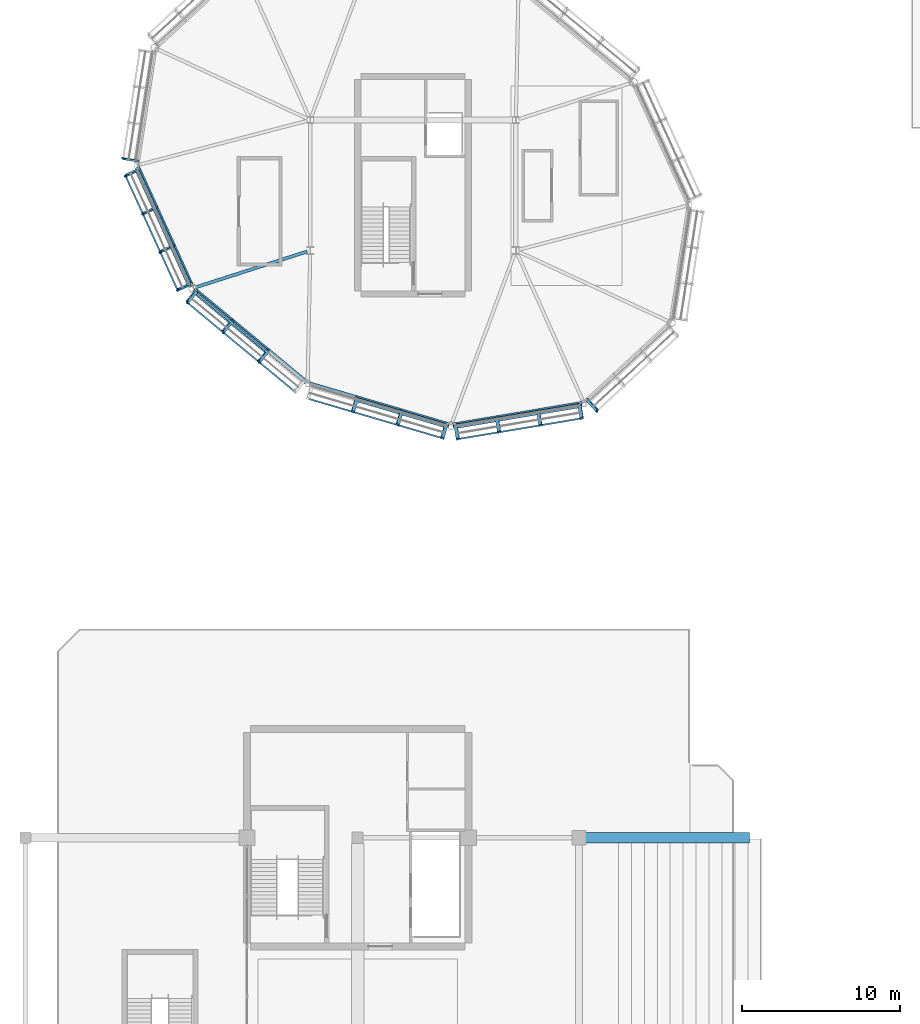
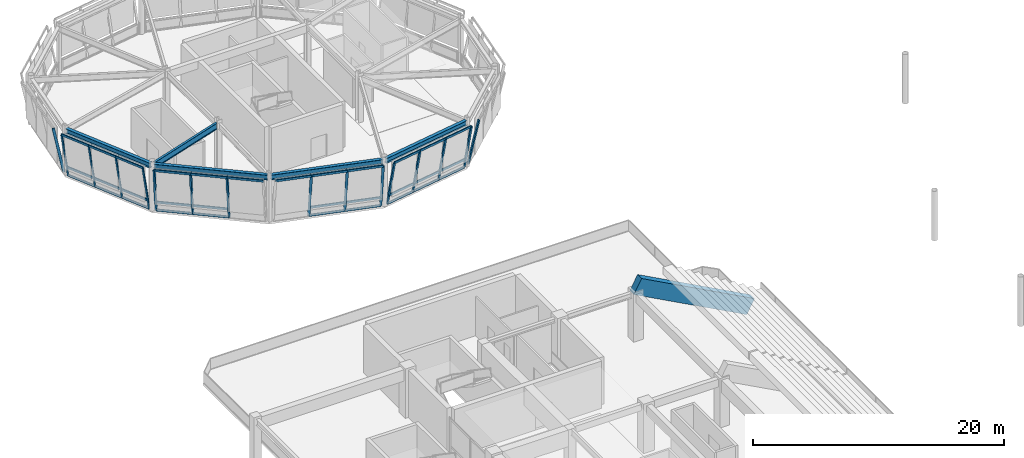
# One storey, part 44 of 94: 48 members, 6 beams, 6 elements without a shape of their own.
"""IFC4 building model written with IfcOpenShell, lengths in metres."""

from ifc_helpers import new_model, si_unit, direction, frame, origin, origin_2d, place, context, subcontext, project, spatial, rectangle, hollow_rectangle, i_section, extrude, material, material_profile, profile_set, type_object, element, aggregate, save


model = new_model("IFC4")

# Units and contexts
model_context = context("Model", 3, precision=1e-05, world=origin(), true_north=direction((0.0, 1.0)))
body_context = subcontext(model_context, "Body", "Model", "MODEL_VIEW")
ifc_project = project(units=[si_unit("LENGTHUNIT", "METRE"), si_unit("AREAUNIT", "SQUARE_METRE"), si_unit("VOLUMEUNIT", "CUBIC_METRE"), si_unit("PLANEANGLEUNIT", "RADIAN"), si_unit("MASSUNIT", "GRAM", prefix="KILO")], contexts=[model_context])

# Site, building, storey
site_placement = place(None, origin())
site = spatial("IfcSite", under=ifc_project, at=site_placement, CompositionType="ELEMENT")
building_placement = place(site_placement, origin())
building = spatial("IfcBuilding", under=site, at=building_placement, Name="Linyun Crest Stadium", CompositionType="ELEMENT")
storey_placement = place(building_placement, frame((0.0, 0.0, 16.199951171875)))
storey = spatial("IfcBuildingStorey", under=building, at=storey_placement, Name="L04", CompositionType="ELEMENT", Elevation=16.199951171875)

# Beams
ifc_material_1 = material(Name="Steel Q355C", Category="steel")
ifc_material_profile_1 = material_profile(ifc_material_1, i_section(OverallWidth=0.300048828125, OverallDepth=0.488037109375, WebThickness=0.010986328125, FlangeThickness=0.01806640625, at=origin_2d()), Name="HM 488x300")
ifc_profile_set_1 = profile_set([ifc_material_profile_1], Name="Steel Q355C")
beam_type_1 = type_object("IfcBeamType", Name="B08", PredefinedType="BEAM", material=ifc_profile_set_1)
beam_1_placement = place(storey_placement, frame((-90.928955078125, 85.76904296875, 4.276123046875), z_axis=(0.41441702614, -0.910087099373, 0.0), x_axis=(0.910087099373, 0.41441702614, 0.0)))
element("IfcBeam", 1, at=beam_1_placement, inside=storey, type_object=beam_type_1, Name="Pod ring girder B08 L04 39", PredefinedType="BEAM", context=body_context, shape_type="SweptSolid", body=[
    extrude(i_section(OverallWidth=0.300048828125, OverallDepth=0.488037109375, WebThickness=0.010986328125, FlangeThickness=0.01806640625, at=origin_2d()), origin(), (0.0, 0.0, 1.0), 8.2958984375),
])
beam_2_placement = place(storey_placement, frame((-87.34912109375, 78.032958984375, 4.276123046875), z_axis=(0.770371409823, -0.637595397512, 0.0), x_axis=(0.637595397512, 0.770371409823, 0.0)))
element("IfcBeam", 2, at=beam_2_placement, inside=storey, type_object=beam_type_1, Name="Pod ring girder B08 L04 41", PredefinedType="BEAM", context=body_context, shape_type="SweptSolid", body=[
    extrude(i_section(OverallWidth=0.300048828125, OverallDepth=0.488037109375, WebThickness=0.010986328125, FlangeThickness=0.01806640625, at=origin_2d()), origin(), (0.0, 0.0, 1.0), 9.204833984375),
])
beam_3_placement = place(storey_placement, frame((-80.051025390625, 72.052978515625, 4.276123046875), z_axis=(0.959427571735, -0.281955199623, 0.0), x_axis=(0.281955199623, 0.959427571735, 0.0)))
element("IfcBeam", 3, at=beam_3_placement, inside=storey, type_object=beam_type_1, Name="Pod ring girder B08 L04 43", PredefinedType="BEAM", context=body_context, shape_type="SweptSolid", body=[
    extrude(i_section(OverallWidth=0.300048828125, OverallDepth=0.488037109375, WebThickness=0.010986328125, FlangeThickness=0.01806640625, at=origin_2d()), origin(), (0.0, 0.0, 1.0), 9.203369140625),
])
beam_4_placement = place(storey_placement, frame((-70.988037109375, 69.444091796875, 4.276123046875), z_axis=(0.986275969976, 0.165105151487, 0.0), x_axis=(-0.165105151487, 0.986275969976, 0.0)))
element("IfcBeam", 4, at=beam_4_placement, inside=storey, type_object=beam_type_1, Name="Pod ring girder B08 L04 45", PredefinedType="BEAM", context=body_context, shape_type="SweptSolid", body=[
    extrude(i_section(OverallWidth=0.300048828125, OverallDepth=0.488037109375, WebThickness=0.010986328125, FlangeThickness=0.01806640625, at=origin_2d()), origin(), (0.0, 0.0, 1.0), 8.296875),
])
ifc_material_2 = material(Name="Steel Q355C", Category="steel")
ifc_material_profile_2 = material_profile(ifc_material_2, i_section(OverallWidth=0.199951171875, OverallDepth=0.60009765625, WebThickness=0.010986328125, FlangeThickness=0.01708984375, at=origin_2d()), Name="HN 600x200")
ifc_profile_set_2 = profile_set([ifc_material_profile_2], Name="Steel Q355C")
beam_type_2 = type_object("IfcBeamType", Name="B11", PredefinedType="BEAM", material=ifc_profile_set_2)
beam_5_placement = place(storey_placement, frame((-80.18994140625, 80.43896484375, 4.219970703125), z_axis=(-0.952088987816, -0.305821123011, 0.0), x_axis=(0.305821123011, -0.952088987816, 0.0)))
element("IfcBeam", 5, at=beam_5_placement, inside=storey, type_object=beam_type_2, Name="Pod radial tie girder B11 L04 42", PredefinedType="BEAM", context=body_context, shape_type="SweptSolid", body=[
    extrude(i_section(OverallWidth=0.199951171875, OverallDepth=0.60009765625, WebThickness=0.010986328125, FlangeThickness=0.01708984375, at=origin_2d()), origin(), (0.0, 0.0, 1.0), 7.396240234375),
])

# Curtain wall, member
ifc_material_3 = material(Name="Verdigris steel and low-E curtain wall assembly", Category="steel")
curtain_wall_type = type_object("IfcCurtainWallType", Name="MCW04", PredefinedType="NOTDEFINED", material=ifc_material_3)
curtain_wall_1_placement = place(storey_placement, origin())
curtain_wall_1 = element("IfcCurtainWall", 6, at=curtain_wall_1_placement, inside=storey, type_object=curtain_wall_type, Name="CWR-007", PredefinedType="NOTDEFINED")
ifc_material_4 = material(Name="Verdigris painted steel Q355C pod mullion", Category="steel")
ifc_material_profile_3 = material_profile(ifc_material_4, hollow_rectangle(XDim=0.1201171875, YDim=0.219970703125, WallThickness=0.008056640625, at=origin_2d()), Name="RHS 220x120x8")
ifc_profile_set_3 = profile_set([ifc_material_profile_3], Name="Verdigris painted steel Q355C pod mullion")
member_type_1 = type_object("IfcMemberType", Name="ML04", PredefinedType="MULLION", material=ifc_profile_set_3)
member_1_placement = place(storey_placement, frame((-90.93310546875, 86.175048828125, 0.0), z_axis=(-0.197078126457, 0.030307333002, 0.979919219956), x_axis=(-0.297564133026, -0.954219848117, -0.030332625933)))
member_1 = element("IfcMember", 7, at=member_1_placement, type_object=member_type_1, Name="CWR-007 mullion 4", PredefinedType="MULLION", context=body_context, shape_type="SweptSolid", body=[
    extrude(hollow_rectangle(XDim=0.1201171875, YDim=0.219970703125, WallThickness=0.008056640625, at=origin_2d()), origin(), (0.0, 0.0, 1.0), 4.55126953125),
])
aggregate(curtain_wall_1, [member_1])

# Curtain wall, members
curtain_wall_2_placement = place(storey_placement, origin())
curtain_wall_2 = element("IfcCurtainWall", 8, at=curtain_wall_2_placement, inside=storey, type_object=curtain_wall_type, Name="CWR-008", PredefinedType="NOTDEFINED")
member_2_placement = place(storey_placement, frame((-90.85498046875, 85.60498046875, 0.0), z_axis=(-0.181468825356, -0.082607741959, 0.979920928643), x_axis=(0.746742899656, -0.659957267933, 0.082652563878)))
member_2 = element("IfcMember", 9, at=member_2_placement, type_object=member_type_1, Name="CWR-008 mullion 1", PredefinedType="MULLION", context=body_context, shape_type="SweptSolid", body=[
    extrude(hollow_rectangle(XDim=0.1201171875, YDim=0.219970703125, WallThickness=0.008056640625, at=origin_2d()), origin(), (0.0, 0.0, 1.0), 4.55126953125),
])
member_3_placement = place(storey_placement, frame((-89.758056640625, 83.197998046875, 0.0), z_axis=(-0.18146560477, -0.082820837648, 0.979903537669), x_axis=(0.747382072803, -0.659228893566, 0.082687986678)))
member_3 = element("IfcMember", 10, at=member_3_placement, type_object=member_type_1, Name="CWR-008 mullion 2", PredefinedType="MULLION", context=body_context, shape_type="SweptSolid", body=[
    extrude(hollow_rectangle(XDim=0.1201171875, YDim=0.219970703125, WallThickness=0.008056640625, at=origin_2d()), origin(), (0.0, 0.0, 1.0), 4.551513671875),
])
member_4_placement = place(storey_placement, frame((-88.662109375, 80.7900390625, 0.0), z_axis=(-0.181261313522, -0.08261095674, 0.979959063455), x_axis=(0.747051740721, -0.659617384202, 0.082574833601)))
member_4 = element("IfcMember", 11, at=member_4_placement, type_object=member_type_1, Name="CWR-008 mullion 3", PredefinedType="MULLION", context=body_context, shape_type="SweptSolid", body=[
    extrude(hollow_rectangle(XDim=0.1201171875, YDim=0.219970703125, WallThickness=0.008056640625, at=origin_2d()), origin(), (0.0, 0.0, 1.0), 4.55126953125),
])
member_5_placement = place(storey_placement, frame((-87.56494140625, 78.383056640625, 0.0), z_axis=(-0.181520699528, -0.082606937728, 0.979911388587), x_axis=(0.74666575297, -0.660042115453, 0.082671997496)))
member_5 = element("IfcMember", 12, at=member_5_placement, type_object=member_type_1, Name="CWR-008 mullion 4", PredefinedType="MULLION", context=body_context, shape_type="SweptSolid", body=[
    extrude(hollow_rectangle(XDim=0.1201171875, YDim=0.219970703125, WallThickness=0.008056640625, at=origin_2d()), origin(), (0.0, 0.0, 1.0), 4.551513671875),
])

curtain_wall_3_placement = place(storey_placement, origin())
curtain_wall_3 = element("IfcCurtainWall", 13, at=curtain_wall_3_placement, inside=storey, type_object=curtain_wall_type, Name="CWR-009", PredefinedType="NOTDEFINED")
member_6_placement = place(storey_placement, frame((-87.2099609375, 77.9189453125, 0.0), z_axis=(-0.127236122693, -0.153573785527, 0.979911251839), x_axis=(0.972616489706, 0.174405811147, 0.153622189123)))
member_6 = element("IfcMember", 14, at=member_6_placement, type_object=member_type_1, Name="CWR-009 mullion 1", PredefinedType="MULLION", context=body_context, shape_type="SweptSolid", body=[
    extrude(hollow_rectangle(XDim=0.1201171875, YDim=0.219970703125, WallThickness=0.008056640625, at=origin_2d()), origin(), (0.0, 0.0, 1.0), 4.551513671875),
])
member_7_placement = place(storey_placement, frame((-84.93896484375, 76.0390625, 0.0), z_axis=(-0.127236122693, -0.153573785527, 0.979911251839), x_axis=(0.972616489706, 0.174405811147, 0.153622189123)))
member_7 = element("IfcMember", 15, at=member_7_placement, type_object=member_type_1, Name="CWR-009 mullion 2", PredefinedType="MULLION", context=body_context, shape_type="SweptSolid", body=[
    extrude(hollow_rectangle(XDim=0.1201171875, YDim=0.219970703125, WallThickness=0.008056640625, at=origin_2d()), origin(), (0.0, 0.0, 1.0), 4.551513671875),
])
member_8_placement = place(storey_placement, frame((-82.66796875, 74.157958984375, 0.0), z_axis=(-0.127236122693, -0.153573785527, 0.979911251839), x_axis=(0.972616489706, 0.174405811147, 0.153622189123)))
member_8 = element("IfcMember", 16, at=member_8_placement, type_object=member_type_1, Name="CWR-009 mullion 3", PredefinedType="MULLION", context=body_context, shape_type="SweptSolid", body=[
    extrude(hollow_rectangle(XDim=0.1201171875, YDim=0.219970703125, WallThickness=0.008056640625, at=origin_2d()), origin(), (0.0, 0.0, 1.0), 4.551513671875),
])

curtain_wall_4_placement = place(storey_placement, origin())
curtain_wall_4 = element("IfcCurtainWall", 17, at=curtain_wall_4_placement, inside=storey, type_object=curtain_wall_type, Name="CWR-010", PredefinedType="NOTDEFINED")
member_9_placement = place(storey_placement, frame((-77.050048828125, 71.1708984375, 0.0), z_axis=(-0.056215732497, -0.19133732616, 0.979913169132), x_axis=(0.535586287554, 0.822520503693, 0.191330472193)))
member_9 = element("IfcMember", 18, at=member_9_placement, type_object=member_type_1, Name="CWR-010 mullion 2", PredefinedType="MULLION", context=body_context, shape_type="SweptSolid", body=[
    extrude(hollow_rectangle(XDim=0.1201171875, YDim=0.219970703125, WallThickness=0.008056640625, at=origin_2d()), origin(), (0.0, 0.0, 1.0), 4.55126953125),
])
member_10_placement = place(storey_placement, frame((-74.221923828125, 70.340087890625, 0.0), z_axis=(-0.056268626116, -0.191388425148, 0.979900154319), x_axis=(0.535732609675, 0.822410933305, 0.191391817253)))
member_10 = element("IfcMember", 19, at=member_10_placement, type_object=member_type_1, Name="CWR-010 mullion 3", PredefinedType="MULLION", context=body_context, shape_type="SweptSolid", body=[
    extrude(hollow_rectangle(XDim=0.1201171875, YDim=0.219970703125, WallThickness=0.008056640625, at=origin_2d()), origin(), (0.0, 0.0, 1.0), 4.551513671875),
])
member_11_placement = place(storey_placement, frame((-71.39404296875, 69.509033203125, 0.0), z_axis=(-0.056215155453, -0.191389002536, 0.979903110519), x_axis=(0.535521217083, 0.822551841019, 0.191377885059)))
member_11 = element("IfcMember", 20, at=member_11_placement, type_object=member_type_1, Name="CWR-010 mullion 4", PredefinedType="MULLION", context=body_context, shape_type="SweptSolid", body=[
    extrude(hollow_rectangle(XDim=0.1201171875, YDim=0.219970703125, WallThickness=0.008056640625, at=origin_2d()), origin(), (0.0, 0.0, 1.0), 4.551513671875),
])

curtain_wall_5_placement = place(storey_placement, origin())
curtain_wall_5 = element("IfcCurtainWall", 21, at=curtain_wall_5_placement, inside=storey, type_object=curtain_wall_type, Name="CWR-011", PredefinedType="NOTDEFINED")
member_12_placement = place(storey_placement, frame((-70.81005859375, 69.47412109375, 0.0), z_axis=(0.03298938458, -0.196648916861, 0.979918825211), x_axis=(-0.322673171426, 0.925854197234, 0.196662222875)))
member_12 = element("IfcMember", 22, at=member_12_placement, type_object=member_type_1, Name="CWR-011 mullion 1", PredefinedType="MULLION", context=body_context, shape_type="SweptSolid", body=[
    extrude(hollow_rectangle(XDim=0.1201171875, YDim=0.219970703125, WallThickness=0.008056640625, at=origin_2d()), origin(), (0.0, 0.0, 1.0), 4.55126953125),
])
member_13_placement = place(storey_placement, frame((-68.200927734375, 69.910888671875, 0.0), z_axis=(0.032936148922, -0.196597696743, 0.979930893344), x_axis=(-0.32247063597, 0.925937182787, 0.196603719367)))
member_13 = element("IfcMember", 23, at=member_13_placement, type_object=member_type_1, Name="CWR-011 mullion 2", PredefinedType="MULLION", context=body_context, shape_type="SweptSolid", body=[
    extrude(hollow_rectangle(XDim=0.1201171875, YDim=0.219970703125, WallThickness=0.008056640625, at=origin_2d()), origin(), (0.0, 0.0, 1.0), 4.55126953125),
])
member_14_placement = place(storey_placement, frame((-65.592041015625, 70.346923828125, 0.0), z_axis=(0.03298938458, -0.196648916861, 0.979918825211), x_axis=(-0.322673171426, 0.925854197234, 0.196662222875)))
member_14 = element("IfcMember", 24, at=member_14_placement, type_object=member_type_1, Name="CWR-011 mullion 3", PredefinedType="MULLION", context=body_context, shape_type="SweptSolid", body=[
    extrude(hollow_rectangle(XDim=0.1201171875, YDim=0.219970703125, WallThickness=0.008056640625, at=origin_2d()), origin(), (0.0, 0.0, 1.0), 4.55126953125),
])
member_15_placement = place(storey_placement, frame((-62.98291015625, 70.783935546875, 0.0), z_axis=(0.03293580154, -0.196649264568, 0.979920557863), x_axis=(-0.322427792745, 0.925941462392, 0.196653824495)))
member_15 = element("IfcMember", 25, at=member_15_placement, type_object=member_type_1, Name="CWR-011 mullion 4", PredefinedType="MULLION", context=body_context, shape_type="SweptSolid", body=[
    extrude(hollow_rectangle(XDim=0.1201171875, YDim=0.219970703125, WallThickness=0.008056640625, at=origin_2d()), origin(), (0.0, 0.0, 1.0), 4.55126953125),
])

# Curtain wall, member
curtain_wall_6_placement = place(storey_placement, origin())
curtain_wall_6 = element("IfcCurtainWall", 26, at=curtain_wall_6_placement, inside=storey, type_object=curtain_wall_type, Name="CWR-012", PredefinedType="NOTDEFINED")
member_16_placement = place(storey_placement, frame((-62.467041015625, 71.0380859375, 0.0), z_axis=(0.135338938, -0.146335561976, 0.979933301384), x_axis=(-0.986931761781, 0.067392260663, 0.146369330089)))
member_16 = element("IfcMember", 27, at=member_16_placement, type_object=member_type_1, Name="CWR-012 mullion 1", PredefinedType="MULLION", context=body_context, shape_type="SweptSolid", body=[
    extrude(hollow_rectangle(XDim=0.1201171875, YDim=0.219970703125, WallThickness=0.008056640625, at=origin_2d()), origin(), (0.0, 0.0, 1.0), 4.55126953125),
])
aggregate(curtain_wall_6, [member_16])

# Beam
ifc_material_5 = material(Name="Precast concrete C50", Category="concrete")
ifc_material_profile_4 = material_profile(ifc_material_5, rectangle(XDim=0.64990234375, YDim=1.5, at=origin_2d()), Name="PCR 1500x650")
ifc_profile_set_4 = profile_set([ifc_material_profile_4], Name="Precast concrete C50")
beam_type_3 = type_object("IfcBeamType", Name="RB04", PredefinedType="USERDEFINED", material=ifc_profile_set_4)
beam_6_placement = place(storey_placement, frame((-52.60009765625, 43.375, -0.39990234375), z_axis=(-0.88047441838, 0.0, 0.474093660134), x_axis=(0.0, -1.0, 0.0)))
element("IfcBeam", 28, at=beam_6_placement, inside=storey, type_object=beam_type_3, Name="Precast raker beam RB04 V1 59", ObjectType="RAKER", PredefinedType="USERDEFINED", context=body_context, shape_type="SweptSolid", body=[
    extrude(rectangle(XDim=0.64990234375, YDim=1.5, at=origin_2d()), origin(), (0.0, 0.0, 1.0), 11.811767578125),
])

# Member
ifc_material_6 = material(Name="Verdigris painted steel Q355C transom", Category="steel")
ifc_material_profile_5 = material_profile(ifc_material_6, hollow_rectangle(XDim=0.10009765625, YDim=0.199951171875, WallThickness=0.008056640625, at=origin_2d()), Name="RHS 200x100x8")
ifc_profile_set_5 = profile_set([ifc_material_profile_5], Name="Verdigris painted steel Q355C transom")
member_type_2 = type_object("IfcMemberType", Name="TR03", PredefinedType="USERDEFINED", material=ifc_profile_set_5)
member_17_placement = place(storey_placement, frame((-90.85498046875, 85.60498046875, 0.0), z_axis=(0.414692848815, -0.90996145036, 0.0), x_axis=(0.90996145036, 0.414692848815, 0.0)))
member_17 = element("IfcMember", 29, at=member_17_placement, type_object=member_type_2, Name="CWR-008 transom 1.1", ObjectType="TRANSOM", PredefinedType="USERDEFINED", context=body_context, shape_type="SweptSolid", body=[
    extrude(hollow_rectangle(XDim=0.10009765625, YDim=0.199951171875, WallThickness=0.008056640625, at=origin_2d()), origin(), (0.0, 0.0, 1.0), 2.645263671875),
])

member_18_placement = place(storey_placement, frame((-91.02197265625, 85.529052734375, 0.900146484375), z_axis=(0.414692848815, -0.90996145036, 0.0), x_axis=(0.90996145036, 0.414692848815, 0.0)))
member_18 = element("IfcMember", 30, at=member_18_placement, type_object=member_type_2, Name="CWR-008 transom 1.2", ObjectType="TRANSOM", PredefinedType="USERDEFINED", context=body_context, shape_type="SweptSolid", body=[
    extrude(hollow_rectangle(XDim=0.10009765625, YDim=0.199951171875, WallThickness=0.008056640625, at=origin_2d()), origin(), (0.0, 0.0, 1.0), 2.645263671875),
])

member_19_placement = place(storey_placement, frame((-91.680908203125, 85.22900390625, 4.4599609375), z_axis=(0.414553575176, -0.910024908071, 0.0), x_axis=(0.910024908071, 0.414553575176, 0.0)))
member_19 = element("IfcMember", 31, at=member_19_placement, type_object=member_type_2, Name="CWR-008 transom 1.3", ObjectType="TRANSOM", PredefinedType="USERDEFINED", context=body_context, shape_type="SweptSolid", body=[
    extrude(hollow_rectangle(XDim=0.10009765625, YDim=0.199951171875, WallThickness=0.008056640625, at=origin_2d()), origin(), (0.0, 0.0, 1.0), 2.64599609375),
])

member_20_placement = place(storey_placement, frame((-89.758056640625, 83.197998046875, 0.0), z_axis=(0.414247864609, -0.910164109744, 0.0), x_axis=(0.910164109744, 0.414247864609, 0.0)))
member_20 = element("IfcMember", 32, at=member_20_placement, type_object=member_type_2, Name="CWR-008 transom 2.1", ObjectType="TRANSOM", PredefinedType="USERDEFINED", context=body_context, shape_type="SweptSolid", body=[
    extrude(hollow_rectangle(XDim=0.10009765625, YDim=0.199951171875, WallThickness=0.008056640625, at=origin_2d()), origin(), (0.0, 0.0, 1.0), 2.645751953125),
])

member_21_placement = place(storey_placement, frame((-89.925048828125, 83.1220703125, 0.900146484375), z_axis=(0.414629980899, -0.909990098265, 0.0), x_axis=(0.909990098265, 0.414629980899, 0.0)))
member_21 = element("IfcMember", 33, at=member_21_placement, type_object=member_type_2, Name="CWR-008 transom 2.2", ObjectType="TRANSOM", PredefinedType="USERDEFINED", context=body_context, shape_type="SweptSolid", body=[
    extrude(hollow_rectangle(XDim=0.10009765625, YDim=0.199951171875, WallThickness=0.008056640625, at=origin_2d()), origin(), (0.0, 0.0, 1.0), 2.646240234375),
])

member_22_placement = place(storey_placement, frame((-90.583984375, 82.821044921875, 4.4599609375), z_axis=(0.414692848815, -0.90996145036, 0.0), x_axis=(0.90996145036, 0.414692848815, 0.0)))
member_22 = element("IfcMember", 34, at=member_22_placement, type_object=member_type_2, Name="CWR-008 transom 2.3", ObjectType="TRANSOM", PredefinedType="USERDEFINED", context=body_context, shape_type="SweptSolid", body=[
    extrude(hollow_rectangle(XDim=0.10009765625, YDim=0.199951171875, WallThickness=0.008056640625, at=origin_2d()), origin(), (0.0, 0.0, 1.0), 2.645263671875),
])

member_23_placement = place(storey_placement, frame((-88.662109375, 80.7900390625, 0.0), z_axis=(0.414769269545, -0.909926619591, 0.0), x_axis=(0.909926619591, 0.414769269545, 0.0)))
member_23 = element("IfcMember", 35, at=member_23_placement, type_object=member_type_2, Name="CWR-008 transom 3.1", ObjectType="TRANSOM", PredefinedType="USERDEFINED", context=body_context, shape_type="SweptSolid", body=[
    extrude(hollow_rectangle(XDim=0.10009765625, YDim=0.199951171875, WallThickness=0.008056640625, at=origin_2d()), origin(), (0.0, 0.0, 1.0), 2.645263671875),
])

member_24_placement = place(storey_placement, frame((-88.827880859375, 80.714111328125, 0.900146484375), z_axis=(0.414352266897, -0.910116585343, 0.0), x_axis=(0.910116585343, 0.414352266897, 0.0)))
member_24 = element("IfcMember", 36, at=member_24_placement, type_object=member_type_2, Name="CWR-008 transom 3.2", ObjectType="TRANSOM", PredefinedType="USERDEFINED", context=body_context, shape_type="SweptSolid", body=[
    extrude(hollow_rectangle(XDim=0.10009765625, YDim=0.199951171875, WallThickness=0.008056640625, at=origin_2d()), origin(), (0.0, 0.0, 1.0), 2.64501953125),
])

member_25_placement = place(storey_placement, frame((-89.487060546875, 80.4140625, 4.4599609375), z_axis=(0.414387078143, -0.91010073589, 0.0), x_axis=(0.91010073589, 0.414387078143, 0.0)))
member_25 = element("IfcMember", 37, at=member_25_placement, type_object=member_type_2, Name="CWR-008 transom 3.3", ObjectType="TRANSOM", PredefinedType="USERDEFINED", context=body_context, shape_type="SweptSolid", body=[
    extrude(hollow_rectangle(XDim=0.10009765625, YDim=0.199951171875, WallThickness=0.008056640625, at=origin_2d()), origin(), (0.0, 0.0, 1.0), 2.644775390625),
])

aggregate(curtain_wall_2, [member_2, member_3, member_4, member_5, member_17, member_18, member_19, member_20, member_21, member_22, member_23, member_24, member_25])

member_26_placement = place(storey_placement, frame((-87.2099609375, 77.9189453125, 0.0), z_axis=(0.770321380351, -0.63765584054, 0.0), x_axis=(0.63765584054, 0.770321380351, 0.0)))
member_26 = element("IfcMember", 38, at=member_26_placement, type_object=member_type_2, Name="CWR-009 transom 1.1", ObjectType="TRANSOM", PredefinedType="USERDEFINED", context=body_context, shape_type="SweptSolid", body=[
    extrude(hollow_rectangle(XDim=0.10009765625, YDim=0.199951171875, WallThickness=0.008056640625, at=origin_2d()), origin(), (0.0, 0.0, 1.0), 2.947998046875),
])

member_27_placement = place(storey_placement, frame((-87.326904296875, 77.778076171875, 0.900146484375), z_axis=(0.770280703464, -0.637704977142, 0.0), x_axis=(0.637704977142, 0.770280703464, 0.0)))
member_27 = element("IfcMember", 39, at=member_27_placement, type_object=member_type_2, Name="CWR-009 transom 1.2", ObjectType="TRANSOM", PredefinedType="USERDEFINED", context=body_context, shape_type="SweptSolid", body=[
    extrude(hollow_rectangle(XDim=0.10009765625, YDim=0.199951171875, WallThickness=0.008056640625, at=origin_2d()), origin(), (0.0, 0.0, 1.0), 2.9482421875),
])

member_28_placement = place(storey_placement, frame((-87.7890625, 77.219970703125, 4.4599609375), z_axis=(0.770321380351, -0.63765584054, 0.0), x_axis=(0.63765584054, 0.770321380351, 0.0)))
member_28 = element("IfcMember", 40, at=member_28_placement, type_object=member_type_2, Name="CWR-009 transom 1.3", ObjectType="TRANSOM", PredefinedType="USERDEFINED", context=body_context, shape_type="SweptSolid", body=[
    extrude(hollow_rectangle(XDim=0.10009765625, YDim=0.199951171875, WallThickness=0.008056640625, at=origin_2d()), origin(), (0.0, 0.0, 1.0), 2.947998046875),
])

member_29_placement = place(storey_placement, frame((-84.93896484375, 76.0390625, 0.0), z_axis=(0.770118007544, -0.637901445724, 0.0), x_axis=(0.637901445724, 0.770118007544, 0.0)))
member_29 = element("IfcMember", 41, at=member_29_placement, type_object=member_type_2, Name="CWR-009 transom 2.1", ObjectType="TRANSOM", PredefinedType="USERDEFINED", context=body_context, shape_type="SweptSolid", body=[
    extrude(hollow_rectangle(XDim=0.10009765625, YDim=0.199951171875, WallThickness=0.008056640625, at=origin_2d()), origin(), (0.0, 0.0, 1.0), 2.948974609375),
])

member_30_placement = place(storey_placement, frame((-85.055908203125, 75.89794921875, 0.900146484375), z_axis=(0.770158679778, -0.63785234025, 0.0), x_axis=(0.63785234025, 0.770158679778, 0.0)))
member_30 = element("IfcMember", 42, at=member_30_placement, type_object=member_type_2, Name="CWR-009 transom 2.2", ObjectType="TRANSOM", PredefinedType="USERDEFINED", context=body_context, shape_type="SweptSolid", body=[
    extrude(hollow_rectangle(XDim=0.10009765625, YDim=0.199951171875, WallThickness=0.008056640625, at=origin_2d()), origin(), (0.0, 0.0, 1.0), 2.94873046875),
])

member_31_placement = place(storey_placement, frame((-85.51806640625, 75.340087890625, 4.4599609375), z_axis=(0.770118007544, -0.637901445724, 0.0), x_axis=(0.637901445724, 0.770118007544, 0.0)))
member_31 = element("IfcMember", 43, at=member_31_placement, type_object=member_type_2, Name="CWR-009 transom 2.3", ObjectType="TRANSOM", PredefinedType="USERDEFINED", context=body_context, shape_type="SweptSolid", body=[
    extrude(hollow_rectangle(XDim=0.10009765625, YDim=0.199951171875, WallThickness=0.008056640625, at=origin_2d()), origin(), (0.0, 0.0, 1.0), 2.948974609375),
])

member_32_placement = place(storey_placement, frame((-83.2470703125, 73.458984375, 4.4599609375), z_axis=(0.770321380351, -0.63765584054, 0.0), x_axis=(0.63765584054, 0.770321380351, 0.0)))
member_32 = element("IfcMember", 44, at=member_32_placement, type_object=member_type_2, Name="CWR-009 transom 3.3", ObjectType="TRANSOM", PredefinedType="USERDEFINED", context=body_context, shape_type="SweptSolid", body=[
    extrude(hollow_rectangle(XDim=0.10009765625, YDim=0.199951171875, WallThickness=0.008056640625, at=origin_2d()), origin(), (0.0, 0.0, 1.0), 2.947998046875),
])

aggregate(curtain_wall_3, [member_6, member_7, member_8, member_26, member_27, member_28, member_29, member_30, member_31, member_32])

member_33_placement = place(storey_placement, frame((-80.134033203125, 71.131103515625, 4.4599609375), z_axis=(0.959434053677, -0.281933142154, 0.0), x_axis=(0.281933142154, 0.959434053677, 0.0)))
member_33 = element("IfcMember", 45, at=member_33_placement, type_object=member_type_2, Name="CWR-010 transom 1.3", ObjectType="TRANSOM", PredefinedType="USERDEFINED", context=body_context, shape_type="SweptSolid", body=[
    extrude(hollow_rectangle(XDim=0.10009765625, YDim=0.199951171875, WallThickness=0.008056640625, at=origin_2d()), origin(), (0.0, 0.0, 1.0), 2.94775390625),
])

member_34_placement = place(storey_placement, frame((-77.050048828125, 71.1708984375, 0.0), z_axis=(0.959456454772, -0.281856898791, 0.0), x_axis=(0.281856898791, 0.959456454772, 0.0)))
member_34 = element("IfcMember", 46, at=member_34_placement, type_object=member_type_2, Name="CWR-010 transom 2.1", ObjectType="TRANSOM", PredefinedType="USERDEFINED", context=body_context, shape_type="SweptSolid", body=[
    extrude(hollow_rectangle(XDim=0.10009765625, YDim=0.199951171875, WallThickness=0.008056640625, at=origin_2d()), origin(), (0.0, 0.0, 1.0), 2.94775390625),
])

member_35_placement = place(storey_placement, frame((-77.10205078125, 70.9951171875, 0.900146484375), z_axis=(0.959434053677, -0.281933142154, 0.0), x_axis=(0.281933142154, 0.959434053677, 0.0)))
member_35 = element("IfcMember", 47, at=member_35_placement, type_object=member_type_2, Name="CWR-010 transom 2.2", ObjectType="TRANSOM", PredefinedType="USERDEFINED", context=body_context, shape_type="SweptSolid", body=[
    extrude(hollow_rectangle(XDim=0.10009765625, YDim=0.199951171875, WallThickness=0.008056640625, at=origin_2d()), origin(), (0.0, 0.0, 1.0), 2.94775390625),
])

member_36_placement = place(storey_placement, frame((-77.305908203125, 70.300048828125, 4.4599609375), z_axis=(0.959427469513, -0.28195554746, 0.0), x_axis=(0.28195554746, 0.959427469513, 0.0)))
member_36 = element("IfcMember", 48, at=member_36_placement, type_object=member_type_2, Name="CWR-010 transom 2.3", ObjectType="TRANSOM", PredefinedType="USERDEFINED", context=body_context, shape_type="SweptSolid", body=[
    extrude(hollow_rectangle(XDim=0.10009765625, YDim=0.199951171875, WallThickness=0.008056640625, at=origin_2d()), origin(), (0.0, 0.0, 1.0), 2.947509765625),
])

member_37_placement = place(storey_placement, frame((-74.221923828125, 70.340087890625, 0.0), z_axis=(0.959427469513, -0.28195554746, 0.0), x_axis=(0.28195554746, 0.959427469513, 0.0)))
member_37 = element("IfcMember", 49, at=member_37_placement, type_object=member_type_2, Name="CWR-010 transom 3.1", ObjectType="TRANSOM", PredefinedType="USERDEFINED", context=body_context, shape_type="SweptSolid", body=[
    extrude(hollow_rectangle(XDim=0.10009765625, YDim=0.199951171875, WallThickness=0.008056640625, at=origin_2d()), origin(), (0.0, 0.0, 1.0), 2.947509765625),
])

member_38_placement = place(storey_placement, frame((-74.27392578125, 70.1640625, 0.900146484375), z_axis=(0.959427469513, -0.28195554746, 0.0), x_axis=(0.28195554746, 0.959427469513, 0.0)))
member_38 = element("IfcMember", 50, at=member_38_placement, type_object=member_type_2, Name="CWR-010 transom 3.2", ObjectType="TRANSOM", PredefinedType="USERDEFINED", context=body_context, shape_type="SweptSolid", body=[
    extrude(hollow_rectangle(XDim=0.10009765625, YDim=0.199951171875, WallThickness=0.008056640625, at=origin_2d()), origin(), (0.0, 0.0, 1.0), 2.947509765625),
])

member_39_placement = place(storey_placement, frame((-74.47802734375, 69.468994140625, 4.4599609375), z_axis=(0.959434053677, -0.281933142154, 0.0), x_axis=(0.281933142154, 0.959434053677, 0.0)))
member_39 = element("IfcMember", 51, at=member_39_placement, type_object=member_type_2, Name="CWR-010 transom 3.3", ObjectType="TRANSOM", PredefinedType="USERDEFINED", context=body_context, shape_type="SweptSolid", body=[
    extrude(hollow_rectangle(XDim=0.10009765625, YDim=0.199951171875, WallThickness=0.008056640625, at=origin_2d()), origin(), (0.0, 0.0, 1.0), 2.94775390625),
])

aggregate(curtain_wall_4, [member_9, member_10, member_11, member_33, member_34, member_35, member_36, member_37, member_38, member_39])

member_40_placement = place(storey_placement, frame((-70.81005859375, 69.47412109375, 0.0), z_axis=(0.986276442989, 0.165102325864, 0.0), x_axis=(-0.165102325864, 0.986276442989, 0.0)))
member_40 = element("IfcMember", 52, at=member_40_placement, type_object=member_type_2, Name="CWR-011 transom 1.1", ObjectType="TRANSOM", PredefinedType="USERDEFINED", context=body_context, shape_type="SweptSolid", body=[
    extrude(hollow_rectangle(XDim=0.10009765625, YDim=0.199951171875, WallThickness=0.008056640625, at=origin_2d()), origin(), (0.0, 0.0, 1.0), 2.6455078125),
])

member_41_placement = place(storey_placement, frame((-70.780029296875, 69.29296875, 0.900146484375), z_axis=(0.986261411357, 0.165192095661, 0.0), x_axis=(-0.165192095661, 0.986261411357, 0.0)))
member_41 = element("IfcMember", 53, at=member_41_placement, type_object=member_type_2, Name="CWR-011 transom 1.2", ObjectType="TRANSOM", PredefinedType="USERDEFINED", context=body_context, shape_type="SweptSolid", body=[
    extrude(hollow_rectangle(XDim=0.10009765625, YDim=0.199951171875, WallThickness=0.008056640625, at=origin_2d()), origin(), (0.0, 0.0, 1.0), 2.6455078125),
])

member_42_placement = place(storey_placement, frame((-70.659912109375, 68.5791015625, 4.4599609375), z_axis=(0.98625889267, 0.165207132499, 0.0), x_axis=(-0.165207132499, 0.98625889267, 0.0)))
member_42 = element("IfcMember", 54, at=member_42_placement, type_object=member_type_2, Name="CWR-011 transom 1.3", ObjectType="TRANSOM", PredefinedType="USERDEFINED", context=body_context, shape_type="SweptSolid", body=[
    extrude(hollow_rectangle(XDim=0.10009765625, YDim=0.199951171875, WallThickness=0.008056640625, at=origin_2d()), origin(), (0.0, 0.0, 1.0), 2.645263671875),
])

member_43_placement = place(storey_placement, frame((-68.200927734375, 69.910888671875, 0.0), z_axis=(0.986318983701, 0.164847997837, 0.0), x_axis=(-0.164847997837, 0.986318983701, 0.0)))
member_43 = element("IfcMember", 55, at=member_43_placement, type_object=member_type_2, Name="CWR-011 transom 2.1", ObjectType="TRANSOM", PredefinedType="USERDEFINED", context=body_context, shape_type="SweptSolid", body=[
    extrude(hollow_rectangle(XDim=0.10009765625, YDim=0.199951171875, WallThickness=0.008056640625, at=origin_2d()), origin(), (0.0, 0.0, 1.0), 2.64501953125),
])

member_44_placement = place(storey_placement, frame((-68.1708984375, 69.72998046875, 0.900146484375), z_axis=(0.98625889267, 0.165207132499, 0.0), x_axis=(-0.165207132499, 0.98625889267, 0.0)))
member_44 = element("IfcMember", 56, at=member_44_placement, type_object=member_type_2, Name="CWR-011 transom 2.2", ObjectType="TRANSOM", PredefinedType="USERDEFINED", context=body_context, shape_type="SweptSolid", body=[
    extrude(hollow_rectangle(XDim=0.10009765625, YDim=0.199951171875, WallThickness=0.008056640625, at=origin_2d()), origin(), (0.0, 0.0, 1.0), 2.645263671875),
])

member_45_placement = place(storey_placement, frame((-68.051025390625, 69.01611328125, 4.4599609375), z_axis=(0.986336492374, 0.16474320566, 0.0), x_axis=(-0.16474320566, 0.986336492374, 0.0)))
member_45 = element("IfcMember", 57, at=member_45_placement, type_object=member_type_2, Name="CWR-011 transom 2.3", ObjectType="TRANSOM", PredefinedType="USERDEFINED", context=body_context, shape_type="SweptSolid", body=[
    extrude(hollow_rectangle(XDim=0.10009765625, YDim=0.199951171875, WallThickness=0.008056640625, at=origin_2d()), origin(), (0.0, 0.0, 1.0), 2.645263671875),
])

member_46_placement = place(storey_placement, frame((-65.592041015625, 70.346923828125, 0.0), z_axis=(0.986261411357, 0.165192095661, 0.0), x_axis=(-0.165192095661, 0.986261411357, 0.0)))
member_46 = element("IfcMember", 58, at=member_46_placement, type_object=member_type_2, Name="CWR-011 transom 3.1", ObjectType="TRANSOM", PredefinedType="USERDEFINED", context=body_context, shape_type="SweptSolid", body=[
    extrude(hollow_rectangle(XDim=0.10009765625, YDim=0.199951171875, WallThickness=0.008056640625, at=origin_2d()), origin(), (0.0, 0.0, 1.0), 2.6455078125),
])

member_47_placement = place(storey_placement, frame((-65.56201171875, 70.1669921875, 0.900146484375), z_axis=(0.986321491601, 0.164832991859, 0.0), x_axis=(-0.164832991859, 0.986321491601, 0.0)))
member_47 = element("IfcMember", 59, at=member_47_placement, type_object=member_type_2, Name="CWR-011 transom 3.2", ObjectType="TRANSOM", PredefinedType="USERDEFINED", context=body_context, shape_type="SweptSolid", body=[
    extrude(hollow_rectangle(XDim=0.10009765625, YDim=0.199951171875, WallThickness=0.008056640625, at=origin_2d()), origin(), (0.0, 0.0, 1.0), 2.645263671875),
])

member_48_placement = place(storey_placement, frame((-65.44189453125, 69.451904296875, 4.4599609375), z_axis=(0.98625889267, 0.165207132499, 0.0), x_axis=(-0.165207132499, 0.98625889267, 0.0)))
member_48 = element("IfcMember", 60, at=member_48_placement, type_object=member_type_2, Name="CWR-011 transom 3.3", ObjectType="TRANSOM", PredefinedType="USERDEFINED", context=body_context, shape_type="SweptSolid", body=[
    extrude(hollow_rectangle(XDim=0.10009765625, YDim=0.199951171875, WallThickness=0.008056640625, at=origin_2d()), origin(), (0.0, 0.0, 1.0), 2.645263671875),
])

aggregate(curtain_wall_5, [member_12, member_13, member_14, member_15, member_40, member_41, member_42, member_43, member_44, member_45, member_46, member_47, member_48])

save(model, "model.ifc")
